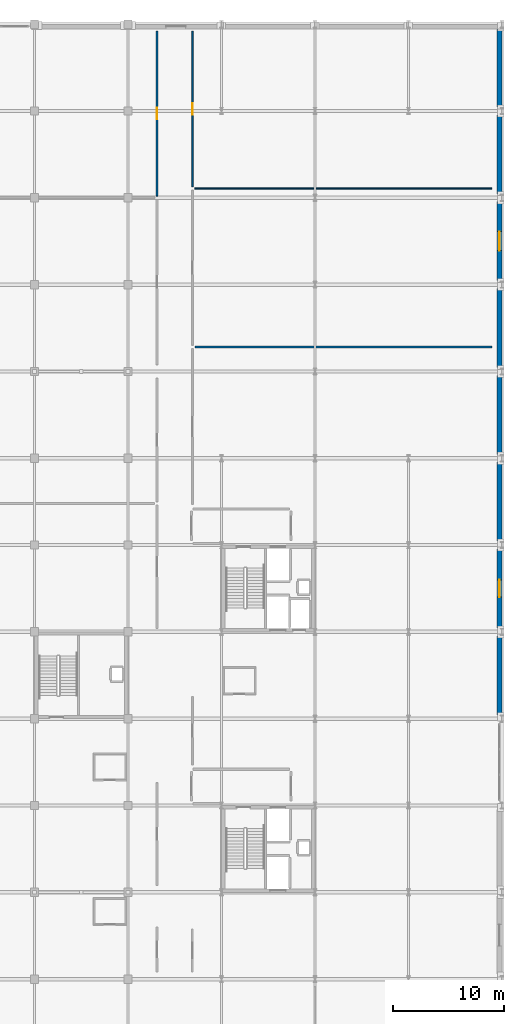
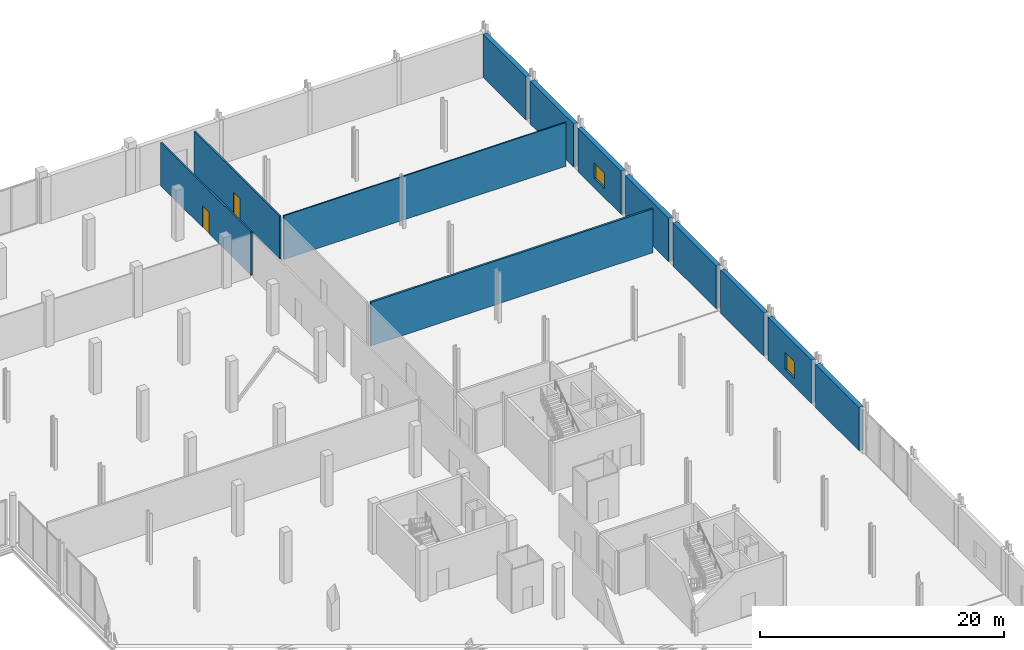
# One storey, part 84 of 105: 12 walls, 2 doors, 2 windows, 4 openings.
"""IFC4 building model written with IfcOpenShell, lengths in metres."""

import ifcopenshell
import ifcopenshell.guid

model = None  # the IFC model being written
_history = None  # IfcOwnerHistory: only IFC2X3 demands one
_inside = {}  # id of a spatial element -> (the spatial element, [elements in it])
_under = {}  # id of a project, library or spatial element -> (it, [spatial elements below it])
_declared = {}  # id of a project -> (the project, [libraries it declares])
_typed = {}  # id of a type object -> (the type object, [elements of that type])
_made_of = {}  # id of a material, layer set ... -> (it, [elements and type objects made of it])


def new_model(schema):
    """Start an empty IFC model of exactly this schema.

    Asked for "IFC4X3", IfcOpenShell would pick the latest addendum, in which some entities
    have other attributes; the version numbers below select the first issue.
    IFC2X3 requires an IfcOwnerHistory on every rooted entity: one is made here for all.
    """
    global model, _history
    if schema == "IFC4X3":
        model = ifcopenshell.file(schema_version=(4, 3, 0, 0))
    else:
        model = ifcopenshell.file(schema=schema)
    _inside.clear()
    _under.clear()
    _declared.clear()
    _typed.clear()
    _made_of.clear()
    _history = None
    if model.schema == "IFC2X3":
        org = make("IfcOrganization", Name="unknown")
        user = make(
            "IfcPersonAndOrganization",
            ThePerson=make("IfcPerson", FamilyName="unknown"),
            TheOrganization=org,
        )
        app = make(
            "IfcApplication",
            ApplicationDeveloper=org,
            Version="unknown",
            ApplicationFullName="unknown",
            ApplicationIdentifier="unknown",
        )
        _history = make(
            "IfcOwnerHistory",
            OwningUser=user,
            OwningApplication=app,
            ChangeAction="ADDED",
            CreationDate=0,
        )
    return model


def make(cls, **values):
    """One entity of the class cls with the attributes given. An attribute that is None is left unset."""
    return model.create_entity(
        cls, **{name: value for name, value in values.items() if value is not None}
    )


def rooted(cls, **values):
    """An entity with a GlobalId (a new one), such as an element, a storey or a relation."""
    return make(cls, GlobalId=ifcopenshell.guid.new(), OwnerHistory=_history, **values)


def si_unit(unit_type, name, prefix=None):
    """IfcSIUnit, for example si_unit("LENGTHUNIT", "METRE", prefix="MILLI")."""
    return make("IfcSIUnit", UnitType=unit_type, Prefix=prefix, Name=name)


def assignment(units):
    """IfcUnitAssignment: the units of a project."""
    return None if units is None else make("IfcUnitAssignment", Units=units)


def point(xyz):
    """IfcCartesianPoint."""
    return None if xyz is None else make("IfcCartesianPoint", Coordinates=xyz)


def direction(xyz):
    """IfcDirection."""
    return None if xyz is None else make("IfcDirection", DirectionRatios=xyz)


def frame(location, z_axis=None, x_axis=None):
    """IfcAxis2Placement3D, a coordinate frame: its origin and axes. An axis left out is left unset."""
    return make(
        "IfcAxis2Placement3D",
        Location=point(location),
        Axis=direction(z_axis),
        RefDirection=direction(x_axis),
    )


def frame_2d(location, x_axis=None):
    """IfcAxis2Placement2D, a coordinate frame in the plane: its origin and x axis."""
    return make(
        "IfcAxis2Placement2D", Location=point(location), RefDirection=direction(x_axis)
    )


def origin():
    """The frame at (0, 0, 0) with its axes left unset."""
    return frame((0.0, 0.0, 0.0))


def place(relative_to, where):
    """IfcLocalPlacement: puts the frame where relative to a parent placement (None: the world)."""
    return make(
        "IfcLocalPlacement", PlacementRelTo=relative_to, RelativePlacement=where
    )


def context(
    kind, dimensions, precision=None, world=None, true_north=None, identifier=None
):
    """IfcGeometricRepresentationContext, for example the 3D "Model" context."""
    return make(
        "IfcGeometricRepresentationContext",
        ContextIdentifier=identifier,
        ContextType=kind,
        CoordinateSpaceDimension=dimensions,
        Precision=precision,
        WorldCoordinateSystem=world,
        TrueNorth=true_north,
    )


def subcontext(parent, identifier, kind, view, scale=None):
    """IfcGeometricRepresentationSubContext, for example "Body" below "Model"."""
    return make(
        "IfcGeometricRepresentationSubContext",
        ContextIdentifier=identifier,
        ContextType=kind,
        ParentContext=parent,
        TargetScale=scale,
        TargetView=view,
    )


def project(units=None, contexts=None):
    """IfcProject with its units and contexts."""
    return rooted(
        "IfcProject",
        Name="project",
        RepresentationContexts=contexts,
        UnitsInContext=assignment(units),
    )


def spatial(cls, under=None, at=None, **own):
    """A site, building, storey or space (cls), placed at a placement, below another one or the project."""
    s = rooted(cls, ObjectPlacement=at, **own)
    if under is not None:
        _under.setdefault(under.id(), (under, []))[1].append(s)
    return s


def profile(cls, at=None, kind="AREA", **sizes):
    """A parametric profile (cls). Its sizes go by their IFC names, for example OverallWidth=200.0."""
    return make(cls, ProfileType=kind, Position=at, **sizes)


def rectangle(**sizes):
    """IfcRectangleProfileDef."""
    return profile("IfcRectangleProfileDef", **sizes)


def extrude(swept, where, along, depth):
    """IfcExtrudedAreaSolid: the profile swept, set in the frame where, extruded along a direction by depth."""
    return make(
        "IfcExtrudedAreaSolid",
        SweptArea=swept,
        Position=where,
        ExtrudedDirection=direction(along),
        Depth=depth,
    )


def shape(context_of_items, identifier, shape_type, items):
    """IfcShapeRepresentation: the items that make up one representation, for example the "Body"."""
    return make(
        "IfcShapeRepresentation",
        ContextOfItems=context_of_items,
        RepresentationIdentifier=identifier,
        RepresentationType=shape_type,
        Items=items,
    )


def material(Name=None, Category=None):
    """IfcMaterial."""
    return make("IfcMaterial", Name=Name, Category=Category)


def layer(
    of_material, thickness, ventilated=None, Name=None, Category=None, Priority=None
):
    """IfcMaterialLayer: one layer of a wall or slab, of a material (None: an air gap)."""
    return make(
        "IfcMaterialLayer",
        Material=of_material,
        LayerThickness=thickness,
        IsVentilated=ventilated,
        Name=Name,
        Category=Category,
        Priority=Priority,
    )


def layer_set(layers, Name=None):
    """IfcMaterialLayerSet."""
    return make("IfcMaterialLayerSet", MaterialLayers=layers, LayerSetName=Name)


def made_of(thing, what):
    """Note that an element or type object is made of a material, layer set ...; save() writes the relation."""
    if what is not None:
        _made_of.setdefault(what.id(), (what, []))[1].append(thing)
    return thing


def type_object(cls, material=None, **own):
    """A type object (cls), such as IfcWallType, which elements share."""
    return made_of(rooted(cls, **own), material)


def element(
    cls,
    number,
    at=None,
    inside=None,
    cuts=None,
    type_object=None,
    material=None,
    context=None,
    identifier="Body",
    shape_type=None,
    held_by="IfcProductDefinitionShape",
    body=None,
    shapes=None,
    **own,
):
    """One element of the class cls, such as IfcWall. Its Tag is "e" and its number.

    at: its placement. inside: the storey or other place that contains it. cuts: it is an
    opening in that element (IfcRelVoidsElement). A single representation is given by context,
    identifier, shape_type and body (its items); several are given by shapes. held_by: the class
    of the entity that holds the representations. save() writes the other relations.
    """
    e = rooted(cls, Tag="e%d" % number, ObjectPlacement=at, **own)
    if body is not None:
        shapes = [shape(context, identifier, shape_type, body)]
    if shapes is not None:
        e.Representation = make(held_by, Representations=shapes)
    if inside is not None:
        _inside.setdefault(inside.id(), (inside, []))[1].append(e)
    if cuts is not None:
        rooted(
            "IfcRelVoidsElement", RelatingBuildingElement=cuts, RelatedOpeningElement=e
        )
    if type_object is not None:
        _typed.setdefault(type_object.id(), (type_object, []))[1].append(e)
    return made_of(e, material)


def fill(opening, filler):
    """IfcRelFillsElement: the door or window that sits in an opening."""
    return rooted(
        "IfcRelFillsElement",
        RelatingOpeningElement=opening,
        RelatedBuildingElement=filler,
    )


def aggregate(whole, parts):
    """IfcRelAggregates: a whole, such as a stair, and the parts it consists of."""
    return rooted("IfcRelAggregates", RelatingObject=whole, RelatedObjects=parts)


def save(model, path):
    """Write the relations noted so far, then the file.

    IfcRelAggregates (storeys below a building ...), IfcRelContainedInSpatialStructure (elements
    in a storey), IfcRelDefinesByType, IfcRelAssociatesMaterial and IfcRelDeclares: one each for
    every whole, place, type object, material and project.
    """
    for whole, parts in _under.values():
        aggregate(whole, parts)
    for where, things in _inside.values():
        rooted(
            "IfcRelContainedInSpatialStructure",
            RelatedElements=things,
            RelatingStructure=where,
        )
    for kind, things in _typed.values():
        rooted("IfcRelDefinesByType", RelatedObjects=things, RelatingType=kind)
    for what, things in _made_of.values():
        rooted("IfcRelAssociatesMaterial", RelatedObjects=things, RelatingMaterial=what)
    for by, libraries in _declared.values():
        rooted("IfcRelDeclares", RelatingContext=by, RelatedDefinitions=libraries)
    model.write(path)


model = new_model("IFC4")

# Units and contexts
model_context = context("Model", 3, precision=1e-05, world=origin(), true_north=direction((0.0, 1.0)))
body_context = subcontext(model_context, "Body", "Model", "MODEL_VIEW")
ifc_project = project(units=[si_unit("LENGTHUNIT", "METRE"), si_unit("AREAUNIT", "SQUARE_METRE"), si_unit("VOLUMEUNIT", "CUBIC_METRE"), si_unit("PLANEANGLEUNIT", "RADIAN"), si_unit("MASSUNIT", "GRAM", prefix="KILO")], contexts=[model_context])

# Site, building, storey
site_placement = place(None, origin())
site = spatial("IfcSite", under=ifc_project, at=site_placement, CompositionType="ELEMENT")
building_placement = place(site_placement, origin())
building = spatial("IfcBuilding", under=site, at=building_placement, Name="Nabrawat Pavilion Hospital", CompositionType="ELEMENT")
storey_placement = place(building_placement, frame((0.0, 0.0, 5.10009765625)))
storey = spatial("IfcBuildingStorey", under=building, at=storey_placement, Name="L01", CompositionType="ELEMENT", Elevation=5.10009765625)

# Wall, opening, door
ifc_material_1 = material(Name="Gypsum Fireboard on Steel Stud", Category="steel")
ifc_layer_1 = layer(ifc_material_1, 0.14990234375, Name="Gypsum Fireboard on Steel Stud")
ifc_layer_set_1 = layer_set([ifc_layer_1], Name="Gypsum Fireboard on Steel Stud")
wall_type_1 = type_object("IfcWallType", Name="Clinical Corridor Smoke-Barrier Wall 150", PredefinedType="PARTITIONING", material=ifc_layer_set_1)
wall_1_placement = place(storey_placement, frame((162.2099609375, 109.360107421875, 0.0), z_axis=(0.0, 0.0, 1.0), x_axis=(0.0, 1.0, 0.0)))
wall_1 = element("IfcWall", 1, at=wall_1_placement, inside=storey, type_object=wall_type_1, Name="L01 Perioperative Sterile Core Support Hall L01-06 Front Partition", PredefinedType="PARTITIONING", context=body_context, shape_type="SweptSolid", body=[
    extrude(rectangle(XDim=14.81982421875, YDim=0.14990234375, at=frame_2d((7.409912109375, 0.0))), origin(), (0.0, 0.0, 1.0), 4.329833984375),
])
opening_1_placement = place(wall_1_placement, frame((6.885009765625, 0.0, 0.0)))
opening_1 = element("IfcOpeningElement", 2, at=opening_1_placement, cuts=wall_1, Name="Opening D-OPC-L", PredefinedType="OPENING", context=body_context, shape_type="SweptSolid", body=[
    extrude(rectangle(XDim=1.050048828125, YDim=2.14990234375, at=frame_2d((0.52490234375, 1.074951171875))), frame((0.0, 0.0849609375, 0.0), z_axis=(0.0, -1.0, 0.0), x_axis=(1.0, 0.0, 0.0)), (0.0, 0.0, 1.0), 0.169921875),
])
ifc_material_2 = material(Name="Stainless-Clad Acoustic Timber and Vision Glass", Category="wood")
door_type = type_object("IfcDoorType", Name="Outpatient Clinic Consultation Door L 1050x2150", OperationType="NOTDEFINED", PredefinedType="DOOR", material=ifc_material_2)
door_1_placement = place(opening_1_placement, origin())
door_1 = element("IfcDoor", 3, at=door_1_placement, inside=storey, type_object=door_type, Name="Perioperative Sterile Core Support Hall L01-06 Door", OperationType="SINGLE_SWING_RIGHT", OverallHeight=2.14990234375, OverallWidth=1.050048828125, PredefinedType="DOOR", context=body_context, shape_type="SweptSolid", body=[
    extrude(rectangle(XDim=1.050048828125, YDim=2.14990234375, at=frame_2d((0.52490234375, 1.074951171875))), frame((0.0, 0.02490234375, 0.0), z_axis=(0.0, -1.0, 0.0), x_axis=(1.0, 0.0, 0.0)), (0.0, 0.0, 1.0), 0.050048828125),
])
fill(opening_1, door_1)

wall_2_placement = place(storey_placement, frame((165.389892578125, 110.18994140625, 0.0), z_axis=(0.0, 0.0, 1.0), x_axis=(0.0, 1.0, 0.0)))
wall_2 = element("IfcWall", 4, at=wall_2_placement, inside=storey, type_object=wall_type_1, Name="L01 Maternity Perinatal Clinical Care Hub L01-11 Front Partition", PredefinedType="PARTITIONING", context=body_context, shape_type="SweptSolid", body=[
    extrude(rectangle(XDim=13.989990234375, YDim=0.14990234375, at=frame_2d((6.9951171875, 0.0))), origin(), (0.0, 0.0, 1.0), 4.329833984375),
])
opening_2_placement = place(wall_2_placement, frame((6.469970703125, 0.0, 0.0)))
opening_2 = element("IfcOpeningElement", 5, at=opening_2_placement, cuts=wall_2, Name="Opening D-OPC-L", PredefinedType="OPENING", context=body_context, shape_type="SweptSolid", body=[
    extrude(rectangle(XDim=1.050048828125, YDim=2.14990234375, at=frame_2d((0.52490234375, 1.074951171875))), frame((0.0, 0.0849609375, 0.0), z_axis=(0.0, -1.0, 0.0), x_axis=(1.0, 0.0, 0.0)), (0.0, 0.0, 1.0), 0.169921875),
])
door_2_placement = place(opening_2_placement, origin())
door_2 = element("IfcDoor", 6, at=door_2_placement, inside=storey, type_object=door_type, Name="Maternity Perinatal Clinical Care Hub L01-11 Door", OperationType="SINGLE_SWING_RIGHT", OverallHeight=2.14990234375, OverallWidth=1.050048828125, PredefinedType="DOOR", context=body_context, shape_type="SweptSolid", body=[
    extrude(rectangle(XDim=1.050048828125, YDim=2.14990234375, at=frame_2d((0.52490234375, 1.074951171875))), frame((0.0, 0.02490234375, 0.0), z_axis=(0.0, -1.0, 0.0), x_axis=(1.0, 0.0, 0.0)), (0.0, 0.0, 1.0), 0.050048828125),
])
fill(opening_2, door_2)

# Walls
ifc_material_3 = material(Name="Acoustic Gypsum on Twin Stud", Category="gypsum")
ifc_layer_2 = layer(ifc_material_3, 0.179931640625, Name="Acoustic Gypsum on Twin Stud")
ifc_layer_set_2 = layer_set([ifc_layer_2], Name="Acoustic Gypsum on Twin Stud")
wall_type_2 = type_object("IfcWallType", Name="Critical Care Acoustic Glazed Partition 180", PredefinedType="PARTITIONING", material=ifc_layer_set_2)
wall_3_placement = place(storey_placement, frame((165.610107421875, 95.800048828125, 0.0), z_axis=(0.0, 0.0, 1.0), x_axis=(1.0, 0.0, 0.0)))
element("IfcWall", 7, at=wall_3_placement, inside=storey, type_object=wall_type_2, Name="L01 Intensive Care Pod Neonatal NICU L01-09 Dividing Partition", PredefinedType="PARTITIONING", context=body_context, shape_type="SweptSolid", body=[
    extrude(rectangle(XDim=26.699951171875, YDim=0.179931640625, at=frame_2d((13.35009765625, 0.0))), origin(), (0.0, 0.0, 1.0), 4.3798828125),
])
ifc_material_4 = material(Name="Precast concrete C40/50", Category="concrete")
ifc_layer_3 = layer(ifc_material_4, 0.419921875, Name="Precast concrete C40/50")
ifc_layer_set_3 = layer_set([ifc_layer_3], Name="Precast concrete C40/50")
wall_type_3 = type_object("IfcWallType", Name="Diagnostic Shielded Precast Facade Wall 420", PredefinedType="SOLIDWALL", material=ifc_layer_set_3)
wall_4_placement = place(storey_placement, frame((192.97998046875, 62.75, 0.0), z_axis=(0.0, 0.0, 1.0), x_axis=(0.0, 1.0, 0.0)))
element("IfcWall", 8, at=wall_4_placement, inside=storey, type_object=wall_type_3, Name="L01 Diagnostic Shielded Precast Facade Wall 420 227", PredefinedType="SOLIDWALL", context=body_context, shape_type="SweptSolid", body=[
    extrude(rectangle(XDim=7.10009765625, YDim=0.419921875, at=frame_2d((3.550048828125, 0.0))), origin(), (0.0, 0.0, 1.0), 4.329833984375),
])

# Wall, opening, window
wall_5_placement = place(storey_placement, frame((192.97998046875, 70.550048828125, 0.0), z_axis=(0.0, 0.0, 1.0), x_axis=(0.0, 1.0, 0.0)))
wall_5 = element("IfcWall", 9, at=wall_5_placement, inside=storey, type_object=wall_type_3, Name="L01 Diagnostic Shielded Precast Facade Wall 420 228", PredefinedType="SOLIDWALL", context=body_context, shape_type="SweptSolid", body=[
    extrude(rectangle(XDim=7.099853515625, YDim=0.419921875, at=frame_2d((3.5498046875, 0.0))), origin(), (0.0, 0.0, 1.0), 4.329833984375),
])
opening_3_placement = place(wall_5_placement, frame((2.77490234375, 0.0, 0.800048828125)))
opening_3 = element("IfcOpeningElement", 10, at=opening_3_placement, cuts=wall_5, Name="Opening WN-24", PredefinedType="OPENING", context=body_context, shape_type="SweptSolid", body=[
    extrude(rectangle(XDim=1.550048828125, YDim=1.699951171875, at=frame_2d((0.77490234375, 0.85009765625))), frame((0.0, 0.219970703125, 0.0), z_axis=(0.0, -1.0, 0.0), x_axis=(1.0, 0.0, 0.0)), (0.0, 0.0, 1.0), 0.43994140625),
])
ifc_material_5 = material(Name="Thermally Broken Aluminium and Solar Glass", Category="aluminium")
window_type_1 = type_object("IfcWindowType", Name="Maternity Birthing Suite Window 1550x1700", PartitioningType="SINGLE_PANEL", PredefinedType="WINDOW", material=ifc_material_5)
window_1_placement = place(opening_3_placement, origin())
window_1 = element("IfcWindow", 11, at=window_1_placement, inside=storey, type_object=window_type_1, Name="L01 Maternity Birthing Suite Window 1550x1700 088", OverallHeight=1.699951171875, OverallWidth=1.550048828125, PartitioningType="SINGLE_PANEL", PredefinedType="WINDOW", context=body_context, shape_type="SweptSolid", body=[
    extrude(rectangle(XDim=1.550048828125, YDim=1.699951171875, at=frame_2d((0.77490234375, 0.85009765625))), frame((0.0, 0.030029296875, 0.0), z_axis=(0.0, -1.0, 0.0), x_axis=(1.0, 0.0, 0.0)), (0.0, 0.0, 1.0), 0.06005859375),
])
fill(opening_3, window_1)

# Walls
wall_6_placement = place(storey_placement, frame((192.97998046875, 78.35009765625, 0.0), z_axis=(0.0, 0.0, 1.0), x_axis=(0.0, 1.0, 0.0)))
element("IfcWall", 12, at=wall_6_placement, inside=storey, type_object=wall_type_3, Name="L01 Diagnostic Shielded Precast Facade Wall 420 229", PredefinedType="SOLIDWALL", context=body_context, shape_type="SweptSolid", body=[
    extrude(rectangle(XDim=7.099853515625, YDim=0.419921875, at=frame_2d((3.5498046875, 0.0))), origin(), (0.0, 0.0, 1.0), 4.329833984375),
])
for number, where, z_axis, x_axis, name in (
    (13, (192.97998046875, 86.14990234375, 0.0), (0.0, 0.0, 1.0), (0.0, 1.0, 0.0), "L01 Diagnostic Shielded Precast Facade Wall 420 230"),
    (14, (192.97998046875, 93.949951171875, 0.0), (0.0, 0.0, 1.0), (0.0, 1.0, 0.0), "L01 Diagnostic Shielded Precast Facade Wall 420 231"),
):
    element("IfcWall", number, at=place(storey_placement, frame(where, z_axis=z_axis, x_axis=x_axis)), inside=storey, type_object=wall_type_3, Name=name, PredefinedType="SOLIDWALL", context=body_context, shape_type="SweptSolid", body=[
        extrude(rectangle(XDim=7.10009765625, YDim=0.419921875, at=frame_2d((3.550048828125, 0.0))), origin(), (0.0, 0.0, 1.0), 4.329833984375),
    ])

# Wall, opening, window
wall_7_placement = place(storey_placement, frame((192.97998046875, 101.75, 0.0), z_axis=(0.0, 0.0, 1.0), x_axis=(0.0, 1.0, 0.0)))
wall_7 = element("IfcWall", 15, at=wall_7_placement, inside=storey, type_object=wall_type_3, Name="L01 Diagnostic Shielded Precast Facade Wall 420 232", PredefinedType="SOLIDWALL", context=body_context, shape_type="SweptSolid", body=[
    extrude(rectangle(XDim=7.10009765625, YDim=0.419921875, at=frame_2d((3.550048828125, 0.0))), origin(), (0.0, 0.0, 1.0), 4.329833984375),
])
opening_4_placement = place(wall_7_placement, frame((2.699951171875, 0.0, 0.949951171875)))
opening_4 = element("IfcOpeningElement", 16, at=opening_4_placement, cuts=wall_7, Name="Opening WN-25", PredefinedType="OPENING", context=body_context, shape_type="SweptSolid", body=[
    extrude(rectangle(XDim=1.699951171875, YDim=1.550048828125, at=frame_2d((0.85009765625, 0.77490234375))), frame((0.0, 0.219970703125, 0.0), z_axis=(0.0, -1.0, 0.0), x_axis=(1.0, 0.0, 0.0)), (0.0, 0.0, 1.0), 0.43994140625),
])
window_type_2 = type_object("IfcWindowType", Name="Cardiology Telemetry Window 1700x1550", PartitioningType="SINGLE_PANEL", PredefinedType="WINDOW", material=ifc_material_5)
window_2_placement = place(opening_4_placement, origin())
window_2 = element("IfcWindow", 17, at=window_2_placement, inside=storey, type_object=window_type_2, Name="L01 Cardiology Telemetry Window 1700x1550 089", OverallHeight=1.550048828125, OverallWidth=1.699951171875, PartitioningType="SINGLE_PANEL", PredefinedType="WINDOW", context=body_context, shape_type="SweptSolid", body=[
    extrude(rectangle(XDim=1.699951171875, YDim=1.550048828125, at=frame_2d((0.85009765625, 0.77490234375))), frame((0.0, 0.030029296875, 0.0), z_axis=(0.0, -1.0, 0.0), x_axis=(1.0, 0.0, 0.0)), (0.0, 0.0, 1.0), 0.06005859375),
])
fill(opening_4, window_2)

# Walls
wall_8_placement = place(storey_placement, frame((192.97998046875, 109.550048828125, 0.0), z_axis=(0.0, 0.0, 1.0), x_axis=(0.0, 1.0, 0.0)))
element("IfcWall", 18, at=wall_8_placement, inside=storey, type_object=wall_type_3, Name="L01 Diagnostic Shielded Precast Facade Wall 420 233", PredefinedType="SOLIDWALL", context=body_context, shape_type="SweptSolid", body=[
    extrude(rectangle(XDim=7.099853515625, YDim=0.419921875, at=frame_2d((3.5498046875, 0.0))), origin(), (0.0, 0.0, 1.0), 4.329833984375),
])
wall_9_placement = place(storey_placement, frame((192.97998046875, 117.35009765625, 0.0), z_axis=(0.0, 0.0, 1.0), x_axis=(0.0, 1.0, 0.0)))
element("IfcWall", 19, at=wall_9_placement, inside=storey, type_object=wall_type_3, Name="L01 Diagnostic Shielded Precast Facade Wall 420 234", PredefinedType="SOLIDWALL", context=body_context, shape_type="SweptSolid", body=[
    extrude(rectangle(XDim=7.010009765625, YDim=0.419921875, at=frame_2d((3.5048828125, 0.0))), origin(), (0.0, 0.0, 1.0), 4.329833984375),
])
ifc_material_6 = material(Name="Gypsum Plasterboard on Stud", Category="gypsum")
ifc_layer_4 = layer(ifc_material_6, 0.1201171875, Name="Gypsum Plasterboard on Stud")
ifc_layer_set_4 = layer_set([ifc_layer_4], Name="Gypsum Plasterboard on Stud")
wall_type_4 = type_object("IfcWallType", Name="Outpatient Consultation Partition 120", PredefinedType="PARTITIONING", material=ifc_layer_set_4)
wall_10_placement = place(storey_placement, frame((165.610107421875, 110.030029296875, 0.0), z_axis=(0.0, 0.0, 1.0), x_axis=(1.0, 0.0, 0.0)))
element("IfcWall", 20, at=wall_10_placement, inside=storey, type_object=wall_type_4, Name="L01 Maternity Ward Nurse Station L01-10 Dividing Partition", PredefinedType="PARTITIONING", context=body_context, shape_type="SweptSolid", body=[
    extrude(rectangle(XDim=26.699951171875, YDim=0.1201171875, at=frame_2d((13.35009765625, 0.0))), origin(), (0.0, 0.0, 1.0), 4.3798828125),
])

save(model, "model.ifc")
